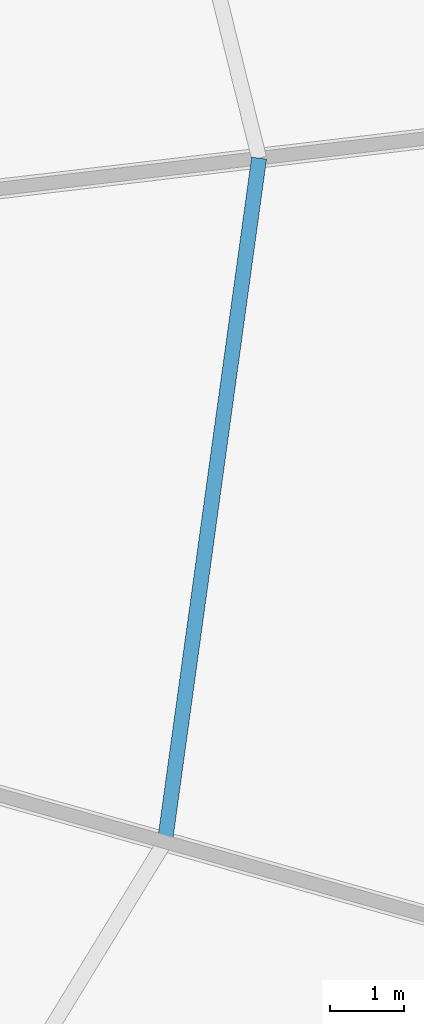
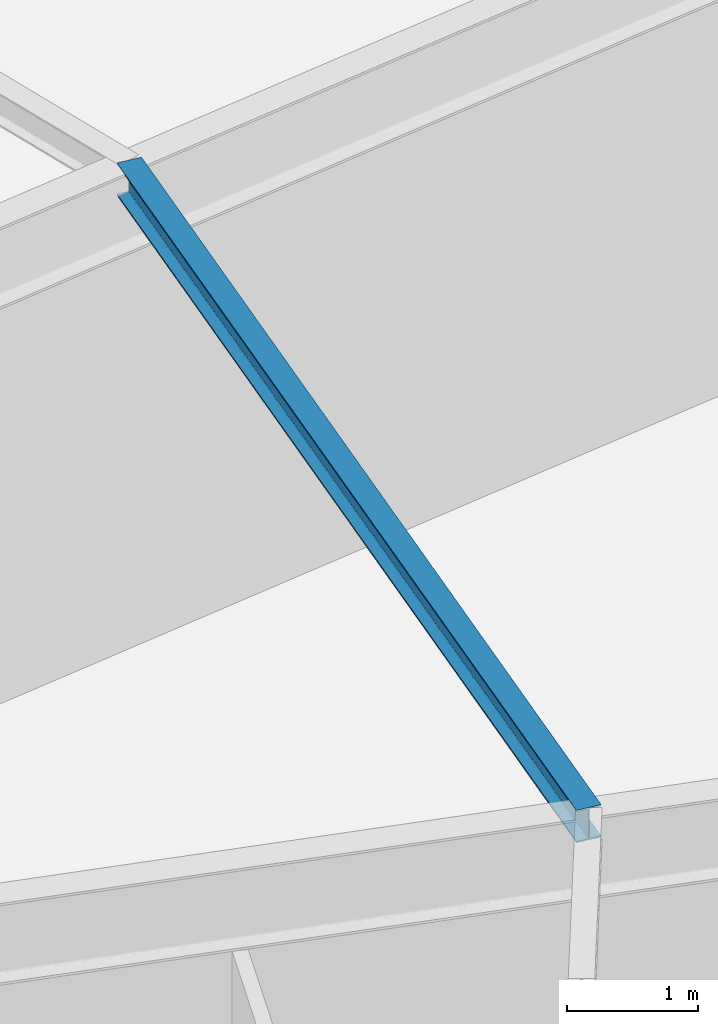
# One storey, part 11 of 22: 1 beam.
"""IFC4 building model written with IfcOpenShell, lengths in metres."""

from ifc_helpers import new_model, si_unit, direction, frame, origin, origin_2d, place, context, subcontext, project, spatial, i_section, extrude, material, material_profile, profile_set, type_object, element, save


model = new_model("IFC4")

# Units and contexts
model_context = context("Model", 3, precision=1e-05, world=origin(), true_north=direction((0.0, 1.0)))
body_context = subcontext(model_context, "Body", "Model", "MODEL_VIEW")
ifc_project = project(units=[si_unit("LENGTHUNIT", "METRE"), si_unit("AREAUNIT", "SQUARE_METRE"), si_unit("VOLUMEUNIT", "CUBIC_METRE"), si_unit("PLANEANGLEUNIT", "RADIAN"), si_unit("MASSUNIT", "GRAM", prefix="KILO")], contexts=[model_context])

# Site, building, storey
site_placement = place(None, origin())
site = spatial("IfcSite", under=ifc_project, at=site_placement, CompositionType="ELEMENT")
building_placement = place(site_placement, origin())
building = spatial("IfcBuilding", under=site, at=building_placement, Name="Kazma Halo Residences", CompositionType="ELEMENT")
storey_placement = place(building_placement, frame((0.0, 0.0, 12.0)))
storey = spatial("IfcBuildingStorey", under=building, at=storey_placement, Name="L02", CompositionType="ELEMENT", Elevation=12.0)

# Beam
ifc_material = material(Name="Steel S355", Category="steel")
ifc_material_profile = material_profile(ifc_material, i_section(OverallWidth=0.202880859375, OverallDepth=0.302978515625, WebThickness=0.007568359375, FlangeThickness=0.01318359375, FilletRadius=0.013916015625, at=origin_2d()), Name="W310x60")
ifc_profile_set = profile_set([ifc_material_profile], Name="Steel S355")
beam_type = type_object("IfcBeamType", Name="BM-SEC-W310A", PredefinedType="JOIST", material=ifc_profile_set)
beam_placement = place(storey_placement, frame((70.670654296875, 35.606201171875, 4.32861328125), z_axis=(0.136476861279, 0.990643258865, 0.0), x_axis=(-0.990643258865, 0.136476861279, 0.0)))
element("IfcBeam", 1, at=beam_placement, inside=storey, type_object=beam_type, Name="L02 circumferential floor joist 15", PredefinedType="JOIST", context=body_context, shape_type="SweptSolid", body=[
    extrude(i_section(OverallWidth=0.202880859375, OverallDepth=0.302978515625, WebThickness=0.007568359375, FlangeThickness=0.01318359375, FilletRadius=0.013916015625, at=origin_2d()), origin(), (0.0, 0.0, 1.0), 9.314697265625),
])

save(model, "model.ifc")
